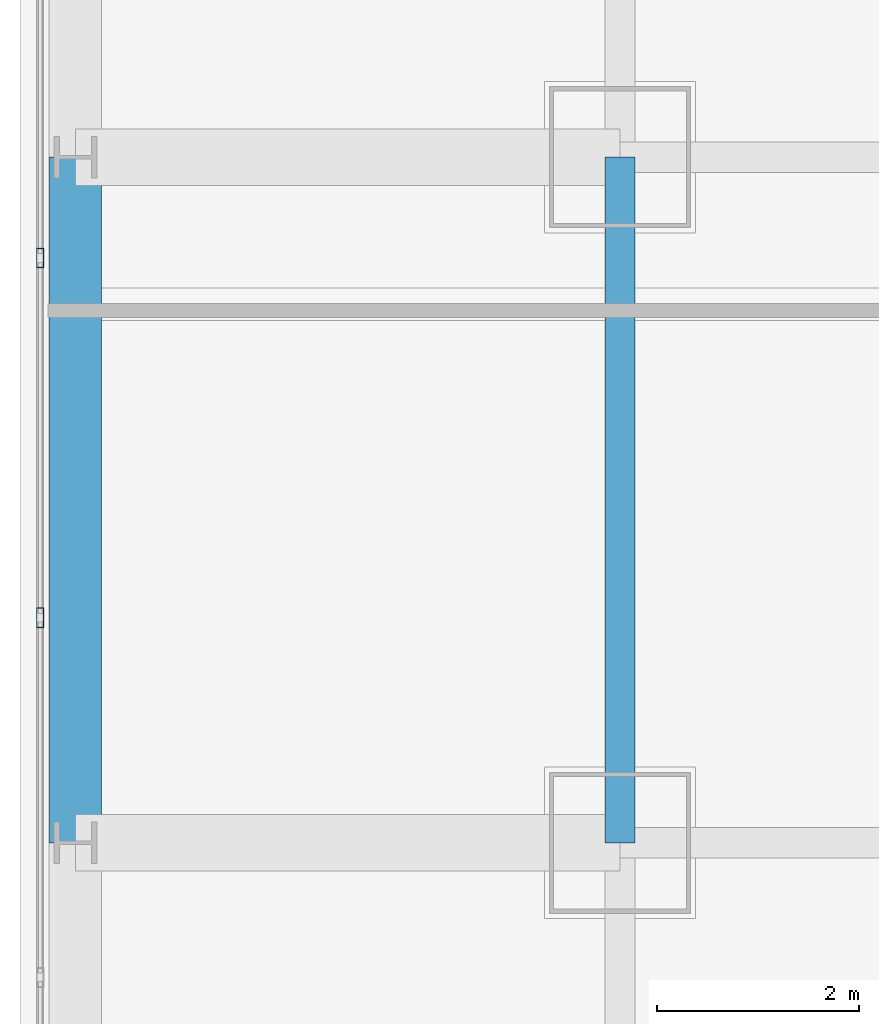
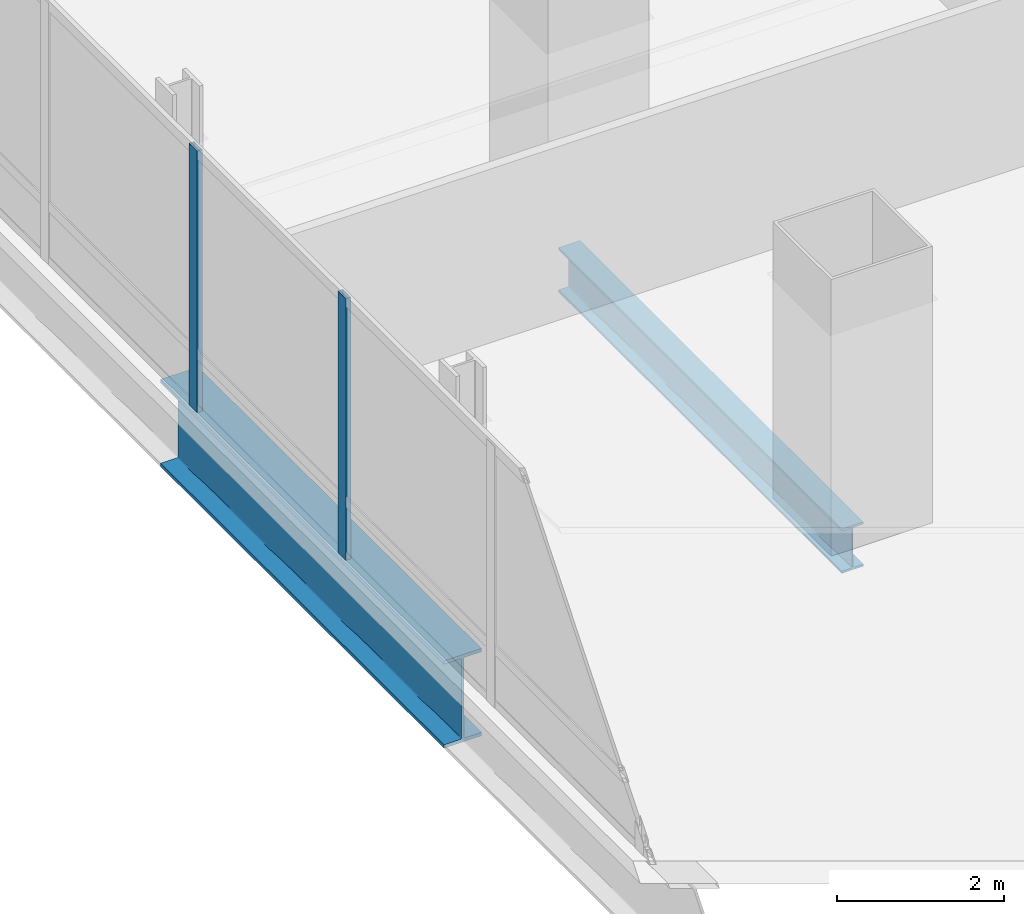
# One storey, part 10 of 38: 2 beams, 2 members, 1 element without a shape of its own.
"""IFC4 building model written with IfcOpenShell, lengths in metres."""

from ifc_helpers import new_model, si_unit, direction, frame, origin, origin_2d, place, context, subcontext, project, spatial, hollow_rectangle, i_section, extrude, material, material_profile, profile_set, type_object, element, aggregate, save


model = new_model("IFC4")

# Units and contexts
model_context = context("Model", 3, precision=1e-05, world=origin(), true_north=direction((0.0, 1.0)))
body_context = subcontext(model_context, "Body", "Model", "MODEL_VIEW")
ifc_project = project(units=[si_unit("LENGTHUNIT", "METRE"), si_unit("AREAUNIT", "SQUARE_METRE"), si_unit("VOLUMEUNIT", "CUBIC_METRE"), si_unit("PLANEANGLEUNIT", "RADIAN"), si_unit("MASSUNIT", "GRAM", prefix="KILO")], contexts=[model_context])

# Site, building, storey
site_placement = place(None, origin())
site = spatial("IfcSite", under=ifc_project, at=site_placement, CompositionType="ELEMENT")
building_placement = place(site_placement, origin())
building = spatial("IfcBuilding", under=site, at=building_placement, Name="Punatoya Terracotta Tower", CompositionType="ELEMENT")
storey_placement = place(building_placement, frame((0.0, 0.0, 156.0)))
storey = spatial("IfcBuildingStorey", under=building, at=storey_placement, Name="L36", CompositionType="ELEMENT", Elevation=156.0)

# Beams
ifc_material_1 = material(Name="Steel S355", Category="steel")
ifc_material_profile_1 = material_profile(ifc_material_1, i_section(OverallWidth=0.300048828125, OverallDepth=0.64990234375, WebThickness=0.01611328125, FlangeThickness=0.031005859375, FilletRadius=0.01806640625, at=origin_2d()))
ifc_profile_set_1 = profile_set([ifc_material_profile_1], Name="Steel S355")
beam_type_1 = type_object("IfcBeamType", Name="BM-PRI-650", PredefinedType="BEAM", material=ifc_profile_set_1)
beam_1_placement = place(storey_placement, frame((-19.10009765625, -3.39990234375, -0.544921875), z_axis=(0.0, 1.0, 0.0), x_axis=(-1.0, 0.0, 0.0)))
element("IfcBeam", 1, at=beam_1_placement, inside=storey, type_object=beam_type_1, Name="BM-L36-RG-W2", PredefinedType="BEAM", context=body_context, shape_type="SweptSolid", body=[
    extrude(i_section(OverallWidth=0.300048828125, OverallDepth=0.64990234375, WebThickness=0.01611328125, FlangeThickness=0.031005859375, FilletRadius=0.01806640625, at=origin_2d()), origin(), (0.0, 0.0, 1.0), 6.7998046875),
])
ifc_material_2 = material(Name="Steel S460", Category="steel")
ifc_material_profile_2 = material_profile(ifc_material_2, i_section(OverallWidth=0.52001953125, OverallDepth=1.280029296875, WebThickness=0.031982421875, FlangeThickness=0.050048828125, FilletRadius=0.01806640625, at=origin_2d()))
ifc_profile_set_2 = profile_set([ifc_material_profile_2], Name="Steel S460")
beam_type_2 = type_object("IfcBeamType", Name="BM-TG-NCK", PredefinedType="BEAM", material=ifc_profile_set_2)
beam_2_placement = place(storey_placement, frame((-24.5, -3.39990234375, -0.860107421875), z_axis=(0.0, 1.0, 0.0), x_axis=(-1.0, 0.0, 0.0)))
element("IfcBeam", 2, at=beam_2_placement, inside=storey, type_object=beam_type_2, Name="BM-L36-PER-W2", PredefinedType="BEAM", context=body_context, shape_type="SweptSolid", body=[
    extrude(i_section(OverallWidth=0.52001953125, OverallDepth=1.280029296875, WebThickness=0.031982421875, FlangeThickness=0.050048828125, FilletRadius=0.01806640625, at=origin_2d()), origin(), (0.0, 0.0, 1.0), 6.7998046875),
])

# Curtain wall, members
ifc_material_3 = material(Name="Aluminium 6063-T6 + Double Low-E Glass", Category="aluminium")
curtain_wall_type = type_object("IfcCurtainWallType", Name="CW-M2", PredefinedType="NOTDEFINED", material=ifc_material_3)
curtain_wall_placement = place(storey_placement, origin())
curtain_wall = element("IfcCurtainWall", 3, at=curtain_wall_placement, inside=storey, type_object=curtain_wall_type, Name="L36 Curtain Wall CW-L36-W13-1", PredefinedType="NOTDEFINED")
ifc_material_4 = material(Name="Aluminium 6063-T6", Category="aluminium")
ifc_material_profile_3 = material_profile(ifc_material_4, hollow_rectangle(XDim=0.072021484375, YDim=0.195068359375, WallThickness=0.00439453125, at=origin_2d()))
ifc_profile_set_3 = profile_set([ifc_material_profile_3], Name="Aluminium 6063-T6")
member_type = type_object("IfcMemberType", Name="CW-MUL-M2", PredefinedType="MULLION", material=ifc_profile_set_3)
member_1_placement = place(storey_placement, frame((-24.85009765625, 2.39990234375, 0.0), z_axis=(0.0, 0.0, 1.0), x_axis=(1.0, 0.0, 0.0)))
member_1 = element("IfcMember", 4, at=member_1_placement, type_object=member_type, Name="CW-L36-W13-1 Mullion 05", PredefinedType="MULLION", context=body_context, shape_type="SweptSolid", body=[
    extrude(hollow_rectangle(XDim=0.072021484375, YDim=0.195068359375, WallThickness=0.00439453125, at=origin_2d()), origin(), (0.0, 0.0, 1.0), 3.830078125),
])
member_2_placement = place(storey_placement, frame((-24.85009765625, -1.16748046875, 0.0), z_axis=(0.0, 0.0, 1.0), x_axis=(1.0, 0.0, 0.0)))
member_2 = element("IfcMember", 5, at=member_2_placement, type_object=member_type, Name="CW-L36-W13-1 Mullion 06", PredefinedType="MULLION", context=body_context, shape_type="SweptSolid", body=[
    extrude(hollow_rectangle(XDim=0.072021484375, YDim=0.195068359375, WallThickness=0.00439453125, at=origin_2d()), origin(), (0.0, 0.0, 1.0), 3.830078125),
])
aggregate(curtain_wall, [member_1, member_2])

save(model, "model.ifc")
